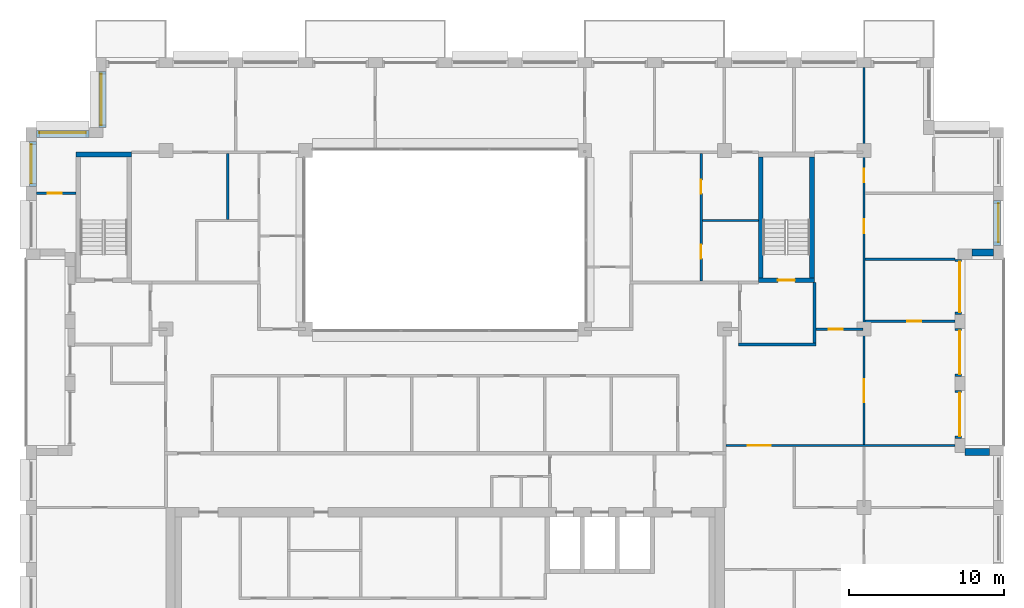
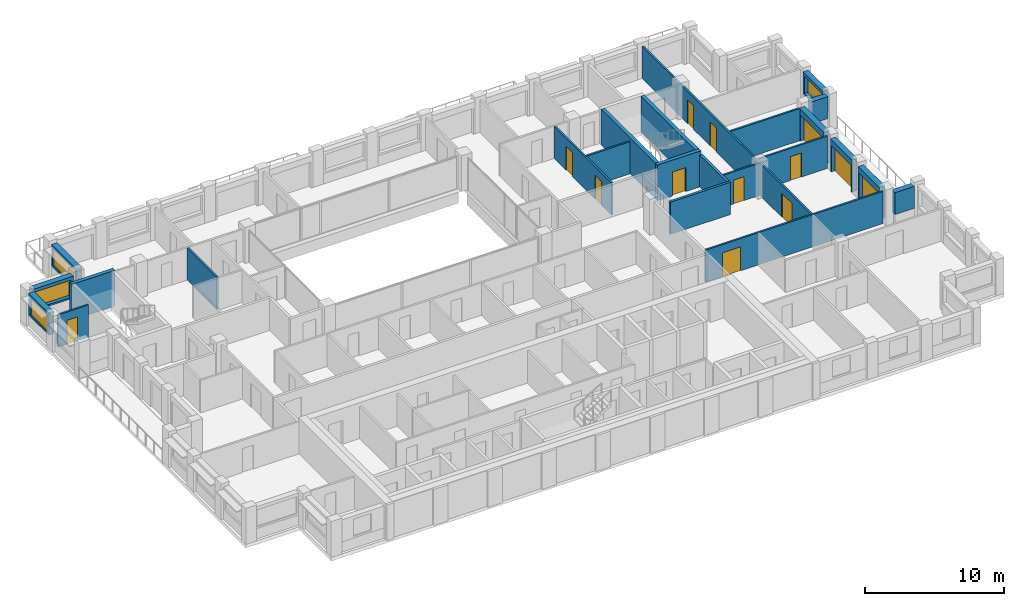
# One storey, part 12 of 15: 24 walls, 13 doors, 4 windows, 17 openings.
"""IFC4 building model written with IfcOpenShell, lengths in metres."""

from ifc_helpers import new_model, si_unit, direction, frame, frame_2d, origin, place, context, subcontext, project, spatial, rectangle, extrude, material, layer, layer_set, type_object, element, fill, save


model = new_model("IFC4")

# Units and contexts
model_context = context("Model", 3, precision=1e-05, world=origin(), true_north=direction((0.0, 1.0)))
body_context = subcontext(model_context, "Body", "Model", "MODEL_VIEW")
ifc_project = project(units=[si_unit("LENGTHUNIT", "METRE"), si_unit("AREAUNIT", "SQUARE_METRE"), si_unit("VOLUMEUNIT", "CUBIC_METRE"), si_unit("PLANEANGLEUNIT", "RADIAN"), si_unit("MASSUNIT", "GRAM", prefix="KILO")], contexts=[model_context])

# Site, building, storey
site_placement = place(None, origin())
site = spatial("IfcSite", under=ifc_project, at=site_placement, CompositionType="ELEMENT")
building_placement = place(site_placement, origin())
building = spatial("IfcBuilding", under=site, at=building_placement, Name="Brigalow Station Residences", CompositionType="ELEMENT")
storey_placement = place(building_placement, frame((0.0, 0.0, 216.89990234375)))
storey = spatial("IfcBuildingStorey", under=building, at=storey_placement, Name="L62", CompositionType="ELEMENT", Elevation=216.89990234375)

# Wall
ifc_material_1 = material(Name="Clay brick masonry", Category="masonry")
ifc_layer_1 = layer(ifc_material_1, 0.449951171875)
ifc_layer_set_1 = layer_set([ifc_layer_1], Name="BRICK INFILL WALL 450")
wall_type_1 = type_object("IfcWallType", Name="BRICK INFILL WALL 450", PredefinedType="SOLIDWALL", material=ifc_layer_set_1)
wall_1_placement = place(storey_placement, frame((71.10009765625, 16.074951171875, 0.900146484375), z_axis=(0.0, 0.0, 1.0), x_axis=(-1.0, 0.0, 0.0)))
element("IfcWall", 1, at=wall_1_placement, inside=storey, type_object=wall_type_1, Name="L62/ewall/W-L62-11", PredefinedType="SOLIDWALL", context=body_context, shape_type="SweptSolid", body=[
    extrude(rectangle(XDim=1.60009765625, YDim=0.449951171875, at=frame_2d((0.800048828125, 0.0))), origin(), (0.0, 0.0, 1.0), 1.929931640625),
])

# Wall, opening, door
wall_2_placement = place(storey_placement, frame((69.074951171875, 16.949951171875, 0.0), z_axis=(0.0, 0.0, 1.0), x_axis=(0.0, 1.0, 0.0)))
wall_2 = element("IfcWall", 2, at=wall_2_placement, inside=storey, type_object=wall_type_1, Name="L62/ewall/W-L62-12", PredefinedType="SOLIDWALL", context=body_context, shape_type="SweptSolid", body=[
    extrude(rectangle(XDim=3.10009765625, YDim=0.449951171875, at=frame_2d((1.550048828125, 0.0))), origin(), (0.0, 0.0, 1.0), 2.830078125),
])
opening_1_placement = place(wall_2_placement, frame((0.14990234375, 0.0, 0.0)))
opening_1 = element("IfcOpeningElement", 3, at=opening_1_placement, cuts=wall_2, Name="Opening D-B2800", PredefinedType="OPENING", context=body_context, shape_type="SweptSolid", body=[
    extrude(rectangle(XDim=2.800048828125, YDim=2.300048828125, at=frame_2d((1.39990234375, 1.14990234375))), frame((0.0, 0.23486328125, 0.0), z_axis=(0.0, -1.0, 0.0), x_axis=(1.0, 0.0, 0.0)), (0.0, 0.0, 1.0), 0.469970703125),
])
ifc_material_2 = material(Name="Anodised aluminium frame with double glazing", Category="aluminium")
door_type_1 = type_object("IfcDoorType", Name="BALCONY SLIDING DOOR 2800x2300", OperationType="SLIDING_TO_LEFT", PredefinedType="DOOR", material=ifc_material_2)
door_1_placement = place(opening_1_placement, origin())
door_1 = element("IfcDoor", 4, at=door_1_placement, inside=storey, type_object=door_type_1, Name="L62/balcony-door/W-L62-12", OperationType="SLIDING_TO_LEFT", OverallHeight=2.300048828125, OverallWidth=2.800048828125, PredefinedType="DOOR", context=body_context, shape_type="SweptSolid", body=[
    extrude(rectangle(XDim=2.800048828125, YDim=2.300048828125, at=frame_2d((1.39990234375, 1.14990234375))), frame((0.0, -0.06982421875, 0.0), z_axis=(0.0, -1.0, 0.0), x_axis=(1.0, 0.0, 0.0)), (0.0, 0.0, 1.0), 0.050048828125),
])
fill(opening_1, door_1)

wall_3_placement = place(storey_placement, frame((69.074951171875, 20.949951171875, 0.0), z_axis=(0.0, 0.0, 1.0), x_axis=(0.0, 1.0, 0.0)))
wall_3 = element("IfcWall", 5, at=wall_3_placement, inside=storey, type_object=wall_type_1, Name="L62/ewall/W-L62-13", PredefinedType="SOLIDWALL", context=body_context, shape_type="SweptSolid", body=[
    extrude(rectangle(XDim=3.10009765625, YDim=0.449951171875, at=frame_2d((1.550048828125, 0.0))), origin(), (0.0, 0.0, 1.0), 2.830078125),
])
opening_2_placement = place(wall_3_placement, frame((0.14990234375, 0.0, 0.0)))
opening_2 = element("IfcOpeningElement", 6, at=opening_2_placement, cuts=wall_3, Name="Opening D-B2800", PredefinedType="OPENING", context=body_context, shape_type="SweptSolid", body=[
    extrude(rectangle(XDim=2.800048828125, YDim=2.300048828125, at=frame_2d((1.39990234375, 1.14990234375))), frame((0.0, 0.23486328125, 0.0), z_axis=(0.0, -1.0, 0.0), x_axis=(1.0, 0.0, 0.0)), (0.0, 0.0, 1.0), 0.469970703125),
])
door_2_placement = place(opening_2_placement, origin())
door_2 = element("IfcDoor", 7, at=door_2_placement, inside=storey, type_object=door_type_1, Name="L62/balcony-door/W-L62-13", OperationType="SLIDING_TO_LEFT", OverallHeight=2.300048828125, OverallWidth=2.800048828125, PredefinedType="DOOR", context=body_context, shape_type="SweptSolid", body=[
    extrude(rectangle(XDim=2.800048828125, YDim=2.300048828125, at=frame_2d((1.39990234375, 1.14990234375))), frame((0.0, -0.06982421875, 0.0), z_axis=(0.0, -1.0, 0.0), x_axis=(1.0, 0.0, 0.0)), (0.0, 0.0, 1.0), 0.050048828125),
])
fill(opening_2, door_2)

wall_4_placement = place(storey_placement, frame((69.074951171875, 24.949951171875, 0.0), z_axis=(0.0, 0.0, 1.0), x_axis=(0.0, 1.0, 0.0)))
wall_4 = element("IfcWall", 8, at=wall_4_placement, inside=storey, type_object=wall_type_1, Name="L62/ewall/W-L62-14", PredefinedType="SOLIDWALL", context=body_context, shape_type="SweptSolid", body=[
    extrude(rectangle(XDim=3.550048828125, YDim=0.449951171875, at=frame_2d((1.77490234375, 0.0))), origin(), (0.0, 0.0, 1.0), 2.830078125),
])
opening_3_placement = place(wall_4_placement, frame((0.14990234375, 0.0, 0.0)))
opening_3 = element("IfcOpeningElement", 9, at=opening_3_placement, cuts=wall_4, Name="Opening D-B3250", PredefinedType="OPENING", context=body_context, shape_type="SweptSolid", body=[
    extrude(rectangle(XDim=3.25, YDim=2.300048828125, at=frame_2d((1.625, 1.14990234375))), frame((0.0, 0.23486328125, 0.0), z_axis=(0.0, -1.0, 0.0), x_axis=(1.0, 0.0, 0.0)), (0.0, 0.0, 1.0), 0.469970703125),
])
ifc_material_3 = material(Name="Anodised aluminium frame with double glazing", Category="aluminium")
door_type_2 = type_object("IfcDoorType", Name="BALCONY SLIDING DOOR 3250x2300", OperationType="SLIDING_TO_LEFT", PredefinedType="DOOR", material=ifc_material_3)
door_3_placement = place(opening_3_placement, origin())
door_3 = element("IfcDoor", 10, at=door_3_placement, inside=storey, type_object=door_type_2, Name="L62/balcony-door/W-L62-14", OperationType="SLIDING_TO_LEFT", OverallHeight=2.300048828125, OverallWidth=3.25, PredefinedType="DOOR", context=body_context, shape_type="SweptSolid", body=[
    extrude(rectangle(XDim=3.25, YDim=2.300048828125, at=frame_2d((1.625, 1.14990234375))), frame((0.0, -0.06982421875, 0.0), z_axis=(0.0, -1.0, 0.0), x_axis=(1.0, 0.0, 0.0)), (0.0, 0.0, 1.0), 0.050048828125),
])
fill(opening_3, door_3)

# Wall
wall_5_placement = place(storey_placement, frame((69.949951171875, 28.925048828125, 0.900146484375), z_axis=(0.0, 0.0, 1.0), x_axis=(1.0, 0.0, 0.0)))
element("IfcWall", 11, at=wall_5_placement, inside=storey, type_object=wall_type_1, Name="L62/ewall/W-L62-15", PredefinedType="SOLIDWALL", context=body_context, shape_type="SweptSolid", body=[
    extrude(rectangle(XDim=1.400146484375, YDim=0.449951171875, at=frame_2d((0.7001953125, 0.0))), origin(), (0.0, 0.0, 1.0), 1.929931640625),
])

# Wall, opening, window
wall_6_placement = place(storey_placement, frame((71.574951171875, 29.39990234375, 0.900146484375), z_axis=(0.0, 0.0, 1.0), x_axis=(0.0, 1.0, 0.0)))
wall_6 = element("IfcWall", 12, at=wall_6_placement, inside=storey, type_object=wall_type_1, Name="L62/ewall/W-L62-16", PredefinedType="SOLIDWALL", context=body_context, shape_type="SweptSolid", body=[
    extrude(rectangle(XDim=2.900146484375, YDim=0.449951171875, at=frame_2d((1.4501953125, 0.0))), origin(), (0.0, 0.0, 1.0), 1.929931640625),
])
opening_4_placement = place(wall_6_placement, frame((0.199951171875, 0.0, 0.14990234375)))
opening_4 = element("IfcOpeningElement", 13, at=opening_4_placement, cuts=wall_6, Name="Opening WT-5", PredefinedType="OPENING", context=body_context, shape_type="SweptSolid", body=[
    extrude(rectangle(XDim=2.5, YDim=1.5, at=frame_2d((1.25, 0.75))), frame((0.0, 0.23486328125, 0.0), z_axis=(0.0, -1.0, 0.0), x_axis=(1.0, 0.0, 0.0)), (0.0, 0.0, 1.0), 0.469970703125),
])
ifc_material_4 = material(Name="Anodised aluminium frame with double glazing", Category="aluminium")
window_type_1 = type_object("IfcWindowType", Name="WINDOW 2500x1500", PartitioningType="SINGLE_PANEL", PredefinedType="WINDOW", material=ifc_material_4)
window_1_placement = place(opening_4_placement, origin())
window_1 = element("IfcWindow", 14, at=window_1_placement, inside=storey, type_object=window_type_1, Name="L62/window/W-L62-16", OverallHeight=1.5, OverallWidth=2.5, PartitioningType="SINGLE_PANEL", PredefinedType="WINDOW", context=body_context, shape_type="SweptSolid", body=[
    extrude(rectangle(XDim=2.5, YDim=1.5, at=frame_2d((1.25, 0.75))), frame((0.0, -0.06494140625, 0.0), z_axis=(0.0, -1.0, 0.0), x_axis=(1.0, 0.0, 0.0)), (0.0, 0.0, 1.0), 0.06005859375),
])
fill(opening_4, window_1)

wall_7_placement = place(storey_placement, frame((13.925048828125, 40.60009765625, 0.900146484375), z_axis=(0.0, 0.0, 1.0), x_axis=(0.0, -1.0, 0.0)))
wall_7 = element("IfcWall", 15, at=wall_7_placement, inside=storey, type_object=wall_type_1, Name="L62/ewall/W-L62-32", PredefinedType="SOLIDWALL", context=body_context, shape_type="SweptSolid", body=[
    extrude(rectangle(XDim=3.60009765625, YDim=0.449951171875, at=frame_2d((1.800048828125, 0.0))), origin(), (0.0, 0.0, 1.0), 1.929931640625),
])
opening_5_placement = place(wall_7_placement, frame((0.14990234375, 0.0, 0.14990234375)))
opening_5 = element("IfcOpeningElement", 16, at=opening_5_placement, cuts=wall_7, Name="Opening WT-10", PredefinedType="OPENING", context=body_context, shape_type="SweptSolid", body=[
    extrude(rectangle(XDim=3.300048828125, YDim=1.5, at=frame_2d((1.64990234375, 0.75))), frame((0.0, 0.23486328125, 0.0), z_axis=(0.0, -1.0, 0.0), x_axis=(1.0, 0.0, 0.0)), (0.0, 0.0, 1.0), 0.469970703125),
])
ifc_material_5 = material(Name="Anodised aluminium frame with double glazing", Category="aluminium")
window_type_2 = type_object("IfcWindowType", Name="WINDOW 3300x1500", PartitioningType="SINGLE_PANEL", PredefinedType="WINDOW", material=ifc_material_5)
window_2_placement = place(opening_5_placement, origin())
window_2 = element("IfcWindow", 17, at=window_2_placement, inside=storey, type_object=window_type_2, Name="L62/window/W-L62-32", OverallHeight=1.5, OverallWidth=3.300048828125, PartitioningType="SINGLE_PANEL", PredefinedType="WINDOW", context=body_context, shape_type="SweptSolid", body=[
    extrude(rectangle(XDim=3.300048828125, YDim=1.5, at=frame_2d((1.64990234375, 0.75))), frame((0.0, -0.06494140625, 0.0), z_axis=(0.0, -1.0, 0.0), x_axis=(1.0, 0.0, 0.0)), (0.0, 0.0, 1.0), 0.06005859375),
])
fill(opening_5, window_2)

wall_8_placement = place(storey_placement, frame((13.050048828125, 36.574951171875, 0.900146484375), z_axis=(0.0, 0.0, 1.0), x_axis=(-1.0, 0.0, 0.0)))
wall_8 = element("IfcWall", 18, at=wall_8_placement, inside=storey, type_object=wall_type_1, Name="L62/ewall/W-L62-33", PredefinedType="SOLIDWALL", context=body_context, shape_type="SweptSolid", body=[
    extrude(rectangle(XDim=3.400146484375, YDim=0.449951171875, at=frame_2d((1.7001953125, 0.0))), origin(), (0.0, 0.0, 1.0), 1.929931640625),
])
opening_6_placement = place(wall_8_placement, frame((0.199951171875, 0.0, 0.14990234375)))
opening_6 = element("IfcOpeningElement", 19, at=opening_6_placement, cuts=wall_8, Name="Opening WT-2", PredefinedType="OPENING", context=body_context, shape_type="SweptSolid", body=[
    extrude(rectangle(XDim=3.0, YDim=1.5, at=frame_2d((1.5, 0.75))), frame((0.0, 0.23486328125, 0.0), z_axis=(0.0, -1.0, 0.0), x_axis=(1.0, 0.0, 0.0)), (0.0, 0.0, 1.0), 0.469970703125),
])
ifc_material_6 = material(Name="Anodised aluminium frame with double glazing", Category="aluminium")
window_type_3 = type_object("IfcWindowType", Name="WINDOW 3000x1500", PartitioningType="SINGLE_PANEL", PredefinedType="WINDOW", material=ifc_material_6)
window_3_placement = place(opening_6_placement, origin())
window_3 = element("IfcWindow", 20, at=window_3_placement, inside=storey, type_object=window_type_3, Name="L62/window/W-L62-33", OverallHeight=1.5, OverallWidth=3.0, PartitioningType="SINGLE_PANEL", PredefinedType="WINDOW", context=body_context, shape_type="SweptSolid", body=[
    extrude(rectangle(XDim=3.0, YDim=1.5, at=frame_2d((1.5, 0.75))), frame((0.0, -0.06494140625, 0.0), z_axis=(0.0, -1.0, 0.0), x_axis=(1.0, 0.0, 0.0)), (0.0, 0.0, 1.0), 0.06005859375),
])
fill(opening_6, window_3)

wall_9_placement = place(storey_placement, frame((9.425048828125, 36.10009765625, 0.900146484375), z_axis=(0.0, 0.0, 1.0), x_axis=(0.0, -1.0, 0.0)))
wall_9 = element("IfcWall", 21, at=wall_9_placement, inside=storey, type_object=wall_type_1, Name="L62/ewall/W-L62-34", PredefinedType="SOLIDWALL", context=body_context, shape_type="SweptSolid", body=[
    extrude(rectangle(XDim=2.900146484375, YDim=0.449951171875, at=frame_2d((1.4501953125, 0.0))), origin(), (0.0, 0.0, 1.0), 1.929931640625),
])
opening_7_placement = place(wall_9_placement, frame((0.199951171875, 0.0, 0.14990234375)))
opening_7 = element("IfcOpeningElement", 22, at=opening_7_placement, cuts=wall_9, Name="Opening WT-5", PredefinedType="OPENING", context=body_context, shape_type="SweptSolid", body=[
    extrude(rectangle(XDim=2.5, YDim=1.5, at=frame_2d((1.25, 0.75))), frame((0.0, 0.23486328125, 0.0), z_axis=(0.0, -1.0, 0.0), x_axis=(1.0, 0.0, 0.0)), (0.0, 0.0, 1.0), 0.469970703125),
])
window_4_placement = place(opening_7_placement, origin())
window_4 = element("IfcWindow", 23, at=window_4_placement, inside=storey, type_object=window_type_1, Name="L62/window/W-L62-34", OverallHeight=1.5, OverallWidth=2.5, PartitioningType="SINGLE_PANEL", PredefinedType="WINDOW", context=body_context, shape_type="SweptSolid", body=[
    extrude(rectangle(XDim=2.5, YDim=1.5, at=frame_2d((1.25, 0.75))), frame((0.0, -0.06494140625, 0.0), z_axis=(0.0, -1.0, 0.0), x_axis=(1.0, 0.0, 0.0)), (0.0, 0.0, 1.0), 0.06005859375),
])
fill(opening_7, window_4)

# Wall
ifc_material_7 = material(Name="Concrete C50", Category="concrete")
ifc_layer_2 = layer(ifc_material_7, 0.300048828125)
ifc_layer_set_2 = layer_set([ifc_layer_2], Name="CORE SHEAR WALL 300 C50")
wall_type_2 = type_object("IfcWallType", Name="CORE SHEAR WALL 300 C50", PredefinedType="SHEAR", material=ifc_layer_set_2)
wall_10_placement = place(storey_placement, frame((12.199951171875, 35.25, 0.0), z_axis=(0.0, 0.0, 1.0), x_axis=(1.0, 0.0, 0.0)))
element("IfcWall", 24, at=wall_10_placement, inside=storey, type_object=wall_type_2, Name="CORE WALL ST-S1-N L62", PredefinedType="SHEAR", context=body_context, shape_type="SweptSolid", body=[
    extrude(rectangle(XDim=3.60009765625, YDim=0.300048828125, at=frame_2d((1.800048828125, 0.0))), origin(), (0.0, 0.0, 1.0), 3.150146484375),
])

# Wall, opening, door
wall_11_placement = place(storey_placement, frame((56.199951171875, 27.14990234375, 0.0), z_axis=(0.0, 0.0, 1.0), x_axis=(1.0, 0.0, 0.0)))
wall_11 = element("IfcWall", 25, at=wall_11_placement, inside=storey, type_object=wall_type_2, Name="CORE WALL ST-S3-S L62", PredefinedType="SHEAR", context=body_context, shape_type="SweptSolid", body=[
    extrude(rectangle(XDim=3.60009765625, YDim=0.300048828125, at=frame_2d((1.800048828125, 0.0))), origin(), (0.0, 0.0, 1.0), 3.150146484375),
])
opening_8_placement = place(wall_11_placement, frame((1.25, 0.0, 0.0)))
opening_8 = element("IfcOpeningElement", 26, at=opening_8_placement, cuts=wall_11, Name="Opening D-5018", PredefinedType="OPENING", context=body_context, shape_type="SweptSolid", body=[
    extrude(rectangle(XDim=1.10009765625, YDim=2.10009765625, at=frame_2d((0.550048828125, 1.050048828125))), frame((0.0, 0.16015625, 0.0), z_axis=(0.0, -1.0, 0.0), x_axis=(1.0, 0.0, 0.0)), (0.0, 0.0, 1.0), 0.320068359375),
])
ifc_material_8 = material(Name="Steel fire door leaf in steel frame", Category="steel")
door_type_3 = type_object("IfcDoorType", Name="STAIR DOOR 1100 x 2100 FD60S", OperationType="SINGLE_SWING_LEFT", PredefinedType="DOOR", material=ifc_material_8)
door_4_placement = place(opening_8_placement, origin())
door_4 = element("IfcDoor", 27, at=door_4_placement, inside=storey, type_object=door_type_3, Name="D-5018", OperationType="SINGLE_SWING_LEFT", OverallHeight=2.10009765625, OverallWidth=1.10009765625, PredefinedType="DOOR", context=body_context, shape_type="SweptSolid", body=[
    extrude(rectangle(XDim=1.10009765625, YDim=2.10009765625, at=frame_2d((0.550048828125, 1.050048828125))), frame((0.0, 0.02490234375, 0.0), z_axis=(0.0, -1.0, 0.0), x_axis=(1.0, 0.0, 0.0)), (0.0, 0.0, 1.0), 0.050048828125),
])
fill(opening_8, door_4)

# Walls
for number, where, z_axis, x_axis, name in (
    (28, (56.35009765625, 27.300048828125, 0.0), (0.0, 0.0, 1.0), (0.0, 1.0, 0.0), "CORE WALL ST-S3-W L62"),
    (29, (59.64990234375, 27.300048828125, 0.0), (0.0, 0.0, 1.0), (0.0, 1.0, 0.0), "CORE WALL ST-S3-E L62"),
):
    element("IfcWall", number, at=place(storey_placement, frame(where, z_axis=z_axis, x_axis=x_axis)), inside=storey, type_object=wall_type_2, Name=name, PredefinedType="SHEAR", context=body_context, shape_type="SweptSolid", body=[
        extrude(rectangle(XDim=7.800048828125, YDim=0.300048828125, at=frame_2d((3.89990234375, 0.0))), origin(), (0.0, 0.0, 1.0), 3.150146484375),
    ])
ifc_material_9 = material(Name="Concrete blockwork", Category="masonry")
ifc_layer_3 = layer(ifc_material_9, 0.199951171875)
ifc_layer_set_3 = layer_set([ifc_layer_3], Name="FIRE RATED CORE PARTITION 200")
wall_type_3 = type_object("IfcWallType", Name="FIRE RATED CORE PARTITION 200", PredefinedType="PARTITIONING", material=ifc_layer_set_3)
wall_12_placement = place(storey_placement, frame((54.89990234375, 23.0, 0.0), z_axis=(0.0, 0.0, 1.0), x_axis=(1.0, 0.0, 0.0)))
element("IfcWall", 30, at=wall_12_placement, inside=storey, type_object=wall_type_3, Name="PW-5024", PredefinedType="PARTITIONING", context=body_context, shape_type="SweptSolid", body=[
    extrude(rectangle(XDim=5.0, YDim=0.199951171875, at=frame_2d((2.5, 0.0))), origin(), (0.0, 0.0, 1.0), 2.830078125),
])
wall_13_placement = place(storey_placement, frame((59.800048828125, 23.10009765625, 0.0), z_axis=(0.0, 0.0, 1.0), x_axis=(0.0, 1.0, 0.0)))
element("IfcWall", 31, at=wall_13_placement, inside=storey, type_object=wall_type_3, Name="PW-5037", PredefinedType="PARTITIONING", context=body_context, shape_type="SweptSolid", body=[
    extrude(rectangle(XDim=3.89990234375, YDim=0.199951171875, at=frame_2d((1.949951171875, 0.0))), origin(), (0.0, 0.0, 1.0), 2.830078125),
])

# Wall, opening, door
ifc_material_10 = material(Name="Plasterboard on steel stud partition", Category="steel")
ifc_layer_4 = layer(ifc_material_10, 0.14990234375)
ifc_layer_set_4 = layer_set([ifc_layer_4], Name="FLAT PARTITION 150")
wall_type_4 = type_object("IfcWallType", Name="FLAT PARTITION 150", PredefinedType="PARTITIONING", material=ifc_layer_set_4)
wall_14_placement = place(storey_placement, frame((59.89990234375, 24.0, 0.0), z_axis=(0.0, 0.0, 1.0), x_axis=(1.0, 0.0, 0.0)))
wall_14 = element("IfcWall", 32, at=wall_14_placement, inside=storey, type_object=wall_type_4, Name="PW-4C02", PredefinedType="PARTITIONING", context=body_context, shape_type="SweptSolid", body=[
    extrude(rectangle(XDim=3.025146484375, YDim=0.14990234375, at=frame_2d((1.5126953125, 0.0))), origin(), (0.0, 0.0, 1.0), 2.830078125),
])
opening_9_placement = place(wall_14_placement, frame((0.824951171875, 0.0, 0.0)))
opening_9 = element("IfcOpeningElement", 33, at=opening_9_placement, cuts=wall_14, Name="Opening D-4C32", PredefinedType="OPENING", context=body_context, shape_type="SweptSolid", body=[
    extrude(rectangle(XDim=0.89990234375, YDim=2.10009765625, at=frame_2d((0.449951171875, 1.050048828125))), frame((0.0, 0.0849609375, 0.0), z_axis=(0.0, -1.0, 0.0), x_axis=(1.0, 0.0, 0.0)), (0.0, 0.0, 1.0), 0.169921875),
])
ifc_material_11 = material(Name="Solid-core timber door leaf", Category="wood")
door_type_4 = type_object("IfcDoorType", Name="INTERNAL DOOR 900 x 2100", OperationType="SINGLE_SWING_LEFT", PredefinedType="DOOR", material=ifc_material_11)
door_5_placement = place(opening_9_placement, origin())
door_5 = element("IfcDoor", 34, at=door_5_placement, inside=storey, type_object=door_type_4, Name="D-4C32", OperationType="SINGLE_SWING_LEFT", OverallHeight=2.10009765625, OverallWidth=0.89990234375, PredefinedType="DOOR", context=body_context, shape_type="SweptSolid", body=[
    extrude(rectangle(XDim=0.89990234375, YDim=2.10009765625, at=frame_2d((0.449951171875, 1.050048828125))), frame((0.0, 0.02490234375, 0.0), z_axis=(0.0, -1.0, 0.0), x_axis=(1.0, 0.0, 0.0)), (0.0, 0.0, 1.0), 0.050048828125),
])
fill(opening_9, door_5)

# Wall
wall_15_placement = place(storey_placement, frame((52.574951171875, 31.0, 0.0), z_axis=(0.0, 0.0, 1.0), x_axis=(1.0, 0.0, 0.0)))
element("IfcWall", 35, at=wall_15_placement, inside=storey, type_object=wall_type_4, Name="PW-4C18", PredefinedType="PARTITIONING", context=body_context, shape_type="SweptSolid", body=[
    extrude(rectangle(XDim=3.625, YDim=0.14990234375, at=frame_2d((1.8125, 0.0))), origin(), (0.0, 0.0, 1.0), 2.830078125),
])

# Wall, opening, door
wall_16_placement = place(storey_placement, frame((9.64990234375, 32.75, 0.0), z_axis=(0.0, 0.0, 1.0), x_axis=(1.0, 0.0, 0.0)))
wall_16 = element("IfcWall", 36, at=wall_16_placement, inside=storey, type_object=wall_type_4, Name="PW-4C19", PredefinedType="PARTITIONING", context=body_context, shape_type="SweptSolid", body=[
    extrude(rectangle(XDim=2.550048828125, YDim=0.14990234375, at=frame_2d((1.27490234375, 0.0))), origin(), (0.0, 0.0, 1.0), 2.830078125),
])
opening_10_placement = place(wall_16_placement, frame((0.75, 0.0, 0.0)))
opening_10 = element("IfcOpeningElement", 37, at=opening_10_placement, cuts=wall_16, Name="Opening D-4C13", PredefinedType="OPENING", context=body_context, shape_type="SweptSolid", body=[
    extrude(rectangle(XDim=0.89990234375, YDim=2.10009765625, at=frame_2d((0.449951171875, 1.050048828125))), frame((0.0, 0.0849609375, 0.0), z_axis=(0.0, -1.0, 0.0), x_axis=(1.0, 0.0, 0.0)), (0.0, 0.0, 1.0), 0.169921875),
])
door_6_placement = place(opening_10_placement, frame((0.89990234375, 0.0, 0.0), z_axis=(0.0, 0.0, 1.0), x_axis=(-1.0, 0.0, 0.0)))
door_6 = element("IfcDoor", 38, at=door_6_placement, inside=storey, type_object=door_type_4, Name="D-4C13", OperationType="SINGLE_SWING_RIGHT", OverallHeight=2.10009765625, OverallWidth=0.89990234375, PredefinedType="DOOR", context=body_context, shape_type="SweptSolid", body=[
    extrude(rectangle(XDim=0.89990234375, YDim=2.10009765625, at=frame_2d((0.449951171875, 1.050048828125))), frame((0.0, 0.02490234375, 0.0), z_axis=(0.0, -1.0, 0.0), x_axis=(1.0, 0.0, 0.0)), (0.0, 0.0, 1.0), 0.050048828125),
])
fill(opening_10, door_6)

wall_17_placement = place(storey_placement, frame((54.10009765625, 16.5, 0.0), z_axis=(0.0, 0.0, 1.0), x_axis=(1.0, 0.0, 0.0)))
wall_17 = element("IfcWall", 39, at=wall_17_placement, inside=storey, type_object=wall_type_4, Name="PW-4C22", PredefinedType="PARTITIONING", context=body_context, shape_type="SweptSolid", body=[
    extrude(rectangle(XDim=14.75, YDim=0.14990234375, at=frame_2d((7.375, 0.0))), origin(), (0.0, 0.0, 1.0), 2.830078125),
])
opening_11_placement = place(wall_17_placement, frame((1.39990234375, 0.0, 0.0)))
opening_11 = element("IfcOpeningElement", 40, at=opening_11_placement, cuts=wall_17, Name="Opening D-4C24", PredefinedType="OPENING", context=body_context, shape_type="SweptSolid", body=[
    extrude(rectangle(XDim=1.5, YDim=2.10009765625, at=frame_2d((0.75, 1.050048828125))), frame((0.0, 0.0849609375, 0.0), z_axis=(0.0, -1.0, 0.0), x_axis=(1.0, 0.0, 0.0)), (0.0, 0.0, 1.0), 0.169921875),
])
ifc_material_12 = material(Name="Solid-core timber door leaf", Category="wood")
door_type_5 = type_object("IfcDoorType", Name="INTERNAL DOUBLE DOOR 1500 x 2100", OperationType="DOUBLE_DOOR_SINGLE_SWING", PredefinedType="DOOR", material=ifc_material_12)
door_7_placement = place(opening_11_placement, frame((1.5, 0.0, 0.0), z_axis=(0.0, 0.0, 1.0), x_axis=(-1.0, 0.0, 0.0)))
door_7 = element("IfcDoor", 41, at=door_7_placement, inside=storey, type_object=door_type_5, Name="D-4C24", OperationType="DOUBLE_DOOR_SINGLE_SWING", OverallHeight=2.10009765625, OverallWidth=1.5, PredefinedType="DOOR", context=body_context, shape_type="SweptSolid", body=[
    extrude(rectangle(XDim=1.5, YDim=2.10009765625, at=frame_2d((0.75, 1.050048828125))), frame((0.0, 0.02490234375, 0.0), z_axis=(0.0, -1.0, 0.0), x_axis=(1.0, 0.0, 0.0)), (0.0, 0.0, 1.0), 0.050048828125),
])
fill(opening_11, door_7)

wall_18_placement = place(storey_placement, frame((63.074951171875, 24.5, 0.0), z_axis=(0.0, 0.0, 1.0), x_axis=(1.0, 0.0, 0.0)))
wall_18 = element("IfcWall", 42, at=wall_18_placement, inside=storey, type_object=wall_type_4, Name="PW-4C24", PredefinedType="PARTITIONING", context=body_context, shape_type="SweptSolid", body=[
    extrude(rectangle(XDim=5.775146484375, YDim=0.14990234375, at=frame_2d((2.8876953125, 0.0))), origin(), (0.0, 0.0, 1.0), 2.830078125),
])
opening_12_placement = place(wall_18_placement, frame((2.699951171875, 0.0, 0.0)))
opening_12 = element("IfcOpeningElement", 43, at=opening_12_placement, cuts=wall_18, Name="Opening D-4C31", PredefinedType="OPENING", context=body_context, shape_type="SweptSolid", body=[
    extrude(rectangle(XDim=0.89990234375, YDim=2.10009765625, at=frame_2d((0.449951171875, 1.050048828125))), frame((0.0, 0.0849609375, 0.0), z_axis=(0.0, -1.0, 0.0), x_axis=(1.0, 0.0, 0.0)), (0.0, 0.0, 1.0), 0.169921875),
])
door_8_placement = place(opening_12_placement, origin())
door_8 = element("IfcDoor", 44, at=door_8_placement, inside=storey, type_object=door_type_4, Name="D-4C31", OperationType="SINGLE_SWING_RIGHT", OverallHeight=2.10009765625, OverallWidth=0.89990234375, PredefinedType="DOOR", context=body_context, shape_type="SweptSolid", body=[
    extrude(rectangle(XDim=0.89990234375, YDim=2.10009765625, at=frame_2d((0.449951171875, 1.050048828125))), frame((0.0, 0.02490234375, 0.0), z_axis=(0.0, -1.0, 0.0), x_axis=(1.0, 0.0, 0.0)), (0.0, 0.0, 1.0), 0.050048828125),
])
fill(opening_12, door_8)

# Walls
wall_19_placement = place(storey_placement, frame((63.074951171875, 28.5, 0.0), z_axis=(0.0, 0.0, 1.0), x_axis=(1.0, 0.0, 0.0)))
element("IfcWall", 45, at=wall_19_placement, inside=storey, type_object=wall_type_4, Name="PW-4C25", PredefinedType="PARTITIONING", context=body_context, shape_type="SweptSolid", body=[
    extrude(rectangle(XDim=5.775146484375, YDim=0.14990234375, at=frame_2d((2.8876953125, 0.0))), origin(), (0.0, 0.0, 1.0), 2.830078125),
])
wall_20_placement = place(storey_placement, frame((22.0, 31.074951171875, 0.0), z_axis=(0.0, 0.0, 1.0), x_axis=(0.0, 1.0, 0.0)))
element("IfcWall", 46, at=wall_20_placement, inside=storey, type_object=wall_type_4, Name="PW-4C38", PredefinedType="PARTITIONING", context=body_context, shape_type="SweptSolid", body=[
    extrude(rectangle(XDim=4.25, YDim=0.14990234375, at=frame_2d((2.125, 0.0))), origin(), (0.0, 0.0, 1.0), 2.830078125),
])

# Wall, openings, doors
wall_21_placement = place(storey_placement, frame((52.5, 27.10009765625, 0.0), z_axis=(0.0, 0.0, 1.0), x_axis=(0.0, 1.0, 0.0)))
wall_21 = element("IfcWall", 47, at=wall_21_placement, inside=storey, type_object=wall_type_4, Name="PW-4C44", PredefinedType="PARTITIONING", context=body_context, shape_type="SweptSolid", body=[
    extrude(rectangle(XDim=8.224853515625, YDim=0.14990234375, at=frame_2d((4.1123046875, 0.0))), origin(), (0.0, 0.0, 1.0), 2.830078125),
])
opening_13_placement = place(wall_21_placement, frame((5.625, 0.0, 0.0)))
opening_13 = element("IfcOpeningElement", 48, at=opening_13_placement, cuts=wall_21, Name="Opening D-4C20", PredefinedType="OPENING", context=body_context, shape_type="SweptSolid", body=[
    extrude(rectangle(XDim=0.89990234375, YDim=2.10009765625, at=frame_2d((0.449951171875, 1.050048828125))), frame((0.0, 0.0849609375, 0.0), z_axis=(0.0, -1.0, 0.0), x_axis=(1.0, 0.0, 0.0)), (0.0, 0.0, 1.0), 0.169921875),
])
opening_14_placement = place(wall_21_placement, frame((1.449951171875, 0.0, 0.0)))
opening_14 = element("IfcOpeningElement", 49, at=opening_14_placement, cuts=wall_21, Name="Opening D-4C21", PredefinedType="OPENING", context=body_context, shape_type="SweptSolid", body=[
    extrude(rectangle(XDim=0.89990234375, YDim=2.10009765625, at=frame_2d((0.449951171875, 1.050048828125))), frame((0.0, 0.0849609375, 0.0), z_axis=(0.0, -1.0, 0.0), x_axis=(1.0, 0.0, 0.0)), (0.0, 0.0, 1.0), 0.169921875),
])
door_9_placement = place(opening_13_placement, origin())
door_9 = element("IfcDoor", 50, at=door_9_placement, inside=storey, type_object=door_type_4, Name="D-4C20", OperationType="SINGLE_SWING_RIGHT", OverallHeight=2.10009765625, OverallWidth=0.89990234375, PredefinedType="DOOR", context=body_context, shape_type="SweptSolid", body=[
    extrude(rectangle(XDim=0.89990234375, YDim=2.10009765625, at=frame_2d((0.449951171875, 1.050048828125))), frame((0.0, 0.02490234375, 0.0), z_axis=(0.0, -1.0, 0.0), x_axis=(1.0, 0.0, 0.0)), (0.0, 0.0, 1.0), 0.050048828125),
])
fill(opening_13, door_9)
door_10_placement = place(opening_14_placement, frame((0.89990234375, 0.0, 0.0), z_axis=(0.0, 0.0, 1.0), x_axis=(-1.0, 0.0, 0.0)))
door_10 = element("IfcDoor", 51, at=door_10_placement, inside=storey, type_object=door_type_4, Name="D-4C21", OperationType="SINGLE_SWING_RIGHT", OverallHeight=2.10009765625, OverallWidth=0.89990234375, PredefinedType="DOOR", context=body_context, shape_type="SweptSolid", body=[
    extrude(rectangle(XDim=0.89990234375, YDim=2.10009765625, at=frame_2d((0.449951171875, 1.050048828125))), frame((0.0, 0.02490234375, 0.0), z_axis=(0.0, -1.0, 0.0), x_axis=(1.0, 0.0, 0.0)), (0.0, 0.0, 1.0), 0.050048828125),
])
fill(opening_14, door_10)

wall_22_placement = place(storey_placement, frame((63.0, 16.574951171875, 0.0), z_axis=(0.0, 0.0, 1.0), x_axis=(0.0, 1.0, 0.0)))
wall_22 = element("IfcWall", 52, at=wall_22_placement, inside=storey, type_object=wall_type_4, Name="PW-4C50", PredefinedType="PARTITIONING", context=body_context, shape_type="SweptSolid", body=[
    extrude(rectangle(XDim=24.275146484375, YDim=0.14990234375, at=frame_2d((12.1376953125, 0.0))), origin(), (0.0, 0.0, 1.0), 2.830078125),
])
opening_15_placement = place(wall_22_placement, frame((2.699951171875, 0.0, 0.0)))
opening_15 = element("IfcOpeningElement", 53, at=opening_15_placement, cuts=wall_22, Name="Opening D-4C30", PredefinedType="OPENING", context=body_context, shape_type="SweptSolid", body=[
    extrude(rectangle(XDim=1.5, YDim=2.10009765625, at=frame_2d((0.75, 1.050048828125))), frame((0.0, 0.0849609375, 0.0), z_axis=(0.0, -1.0, 0.0), x_axis=(1.0, 0.0, 0.0)), (0.0, 0.0, 1.0), 0.169921875),
])
opening_16_placement = place(wall_22_placement, frame((13.60009765625, 0.0, 0.0)))
opening_16 = element("IfcOpeningElement", 54, at=opening_16_placement, cuts=wall_22, Name="Opening D-4C33", PredefinedType="OPENING", context=body_context, shape_type="SweptSolid", body=[
    extrude(rectangle(XDim=0.89990234375, YDim=2.10009765625, at=frame_2d((0.449951171875, 1.050048828125))), frame((0.0, 0.0849609375, 0.0), z_axis=(0.0, -1.0, 0.0), x_axis=(1.0, 0.0, 0.0)), (0.0, 0.0, 1.0), 0.169921875),
])
opening_17_placement = place(wall_22_placement, frame((16.875, 0.0, 0.0)))
opening_17 = element("IfcOpeningElement", 55, at=opening_17_placement, cuts=wall_22, Name="Opening D-4C34", PredefinedType="OPENING", context=body_context, shape_type="SweptSolid", body=[
    extrude(rectangle(XDim=0.89990234375, YDim=2.10009765625, at=frame_2d((0.449951171875, 1.050048828125))), frame((0.0, 0.0849609375, 0.0), z_axis=(0.0, -1.0, 0.0), x_axis=(1.0, 0.0, 0.0)), (0.0, 0.0, 1.0), 0.169921875),
])
door_11_placement = place(opening_16_placement, frame((0.89990234375, 0.0, 0.0), z_axis=(0.0, 0.0, 1.0), x_axis=(-1.0, 0.0, 0.0)))
door_11 = element("IfcDoor", 56, at=door_11_placement, inside=storey, type_object=door_type_4, Name="D-4C33", OperationType="SINGLE_SWING_RIGHT", OverallHeight=2.10009765625, OverallWidth=0.89990234375, PredefinedType="DOOR", context=body_context, shape_type="SweptSolid", body=[
    extrude(rectangle(XDim=0.89990234375, YDim=2.10009765625, at=frame_2d((0.449951171875, 1.050048828125))), frame((0.0, 0.02490234375, 0.0), z_axis=(0.0, -1.0, 0.0), x_axis=(1.0, 0.0, 0.0)), (0.0, 0.0, 1.0), 0.050048828125),
])
fill(opening_16, door_11)
door_12_placement = place(opening_17_placement, frame((0.89990234375, 0.0, 0.0), z_axis=(0.0, 0.0, 1.0), x_axis=(-1.0, 0.0, 0.0)))
door_12 = element("IfcDoor", 57, at=door_12_placement, inside=storey, type_object=door_type_4, Name="D-4C34", OperationType="SINGLE_SWING_RIGHT", OverallHeight=2.10009765625, OverallWidth=0.89990234375, PredefinedType="DOOR", context=body_context, shape_type="SweptSolid", body=[
    extrude(rectangle(XDim=0.89990234375, YDim=2.10009765625, at=frame_2d((0.449951171875, 1.050048828125))), frame((0.0, 0.02490234375, 0.0), z_axis=(0.0, -1.0, 0.0), x_axis=(1.0, 0.0, 0.0)), (0.0, 0.0, 1.0), 0.050048828125),
])
fill(opening_17, door_12)
door_13_placement = place(opening_15_placement, frame((1.5, 0.0, 0.0), z_axis=(0.0, 0.0, 1.0), x_axis=(-1.0, 0.0, 0.0)))
door_13 = element("IfcDoor", 58, at=door_13_placement, inside=storey, type_object=door_type_5, Name="D-4C30", OperationType="DOUBLE_DOOR_SINGLE_SWING", OverallHeight=2.10009765625, OverallWidth=1.5, PredefinedType="DOOR", context=body_context, shape_type="SweptSolid", body=[
    extrude(rectangle(XDim=1.5, YDim=2.10009765625, at=frame_2d((0.75, 1.050048828125))), frame((0.0, 0.02490234375, 0.0), z_axis=(0.0, -1.0, 0.0), x_axis=(1.0, 0.0, 0.0)), (0.0, 0.0, 1.0), 0.050048828125),
])
fill(opening_15, door_13)

save(model, "model.ifc")
